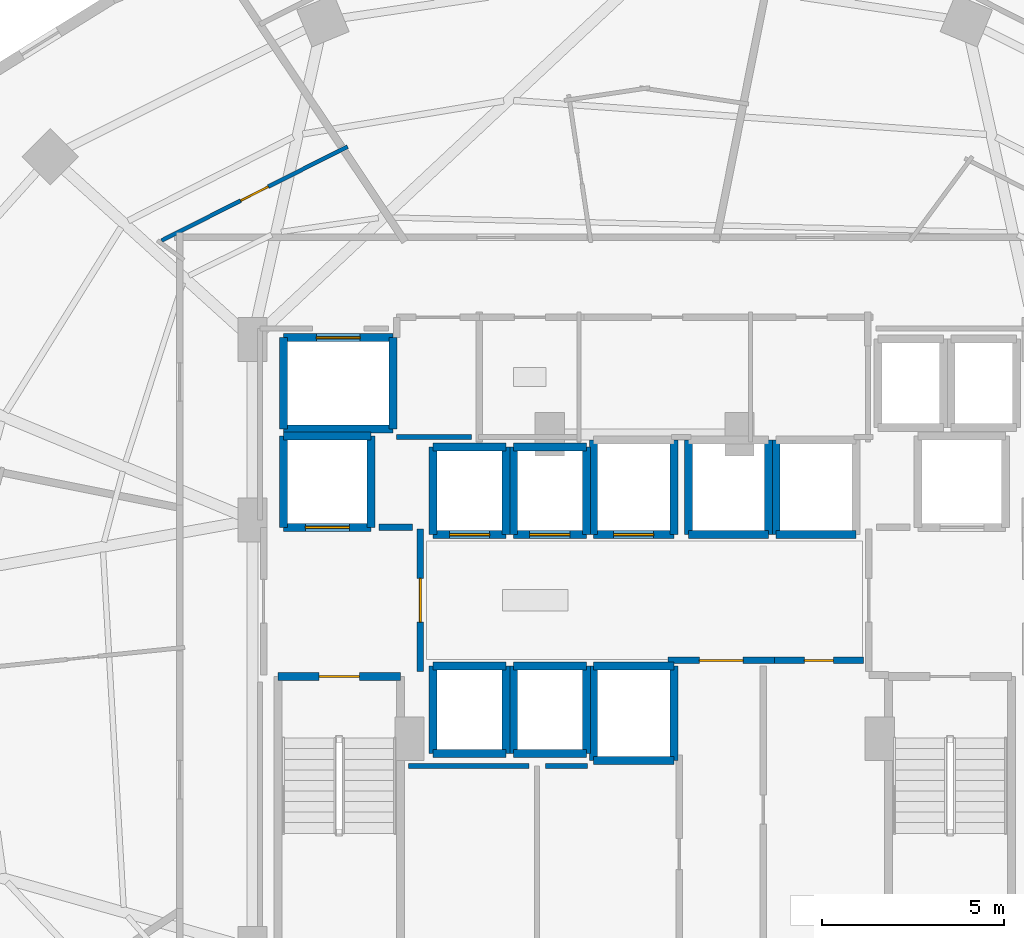
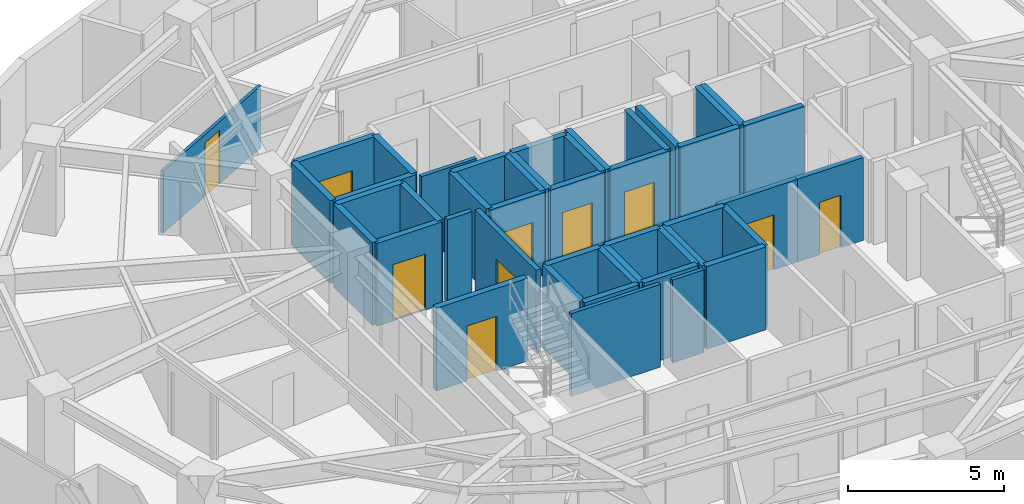
# One storey, part 23 of 29: 45 walls, 10 doors, 10 openings.
"""IFC4 building model written with IfcOpenShell, lengths in metres."""

from ifc_helpers import new_model, si_unit, direction, frame, frame_2d, origin, place, context, subcontext, project, spatial, rectangle, extrude, material, layer, layer_set, type_object, element, fill, save


model = new_model("IFC4")

# Units and contexts
model_context = context("Model", 3, precision=1e-05, world=origin(), true_north=direction((0.0, 1.0)))
body_context = subcontext(model_context, "Body", "Model", "MODEL_VIEW")
ifc_project = project(units=[si_unit("LENGTHUNIT", "METRE"), si_unit("AREAUNIT", "SQUARE_METRE"), si_unit("VOLUMEUNIT", "CUBIC_METRE"), si_unit("PLANEANGLEUNIT", "RADIAN"), si_unit("MASSUNIT", "GRAM", prefix="KILO")], contexts=[model_context])

# Site, building, storey
site_placement = place(None, origin())
site = spatial("IfcSite", under=ifc_project, at=site_placement, CompositionType="ELEMENT")
building_placement = place(site_placement, origin())
building = spatial("IfcBuilding", under=site, at=building_placement, Name="Vorneva Point Tower", CompositionType="ELEMENT")
storey_placement = place(building_placement, frame((0.0, 0.0, 85.800048828125)))
storey = spatial("IfcBuildingStorey", under=building, at=storey_placement, Name="L22", CompositionType="ELEMENT", Elevation=85.800048828125)

# Wall, opening, door
ifc_material_1 = material(Name="Concrete B60 (C50/60)", Category="concrete")
ifc_layer_1 = layer(ifc_material_1, 0.5)
ifc_layer_set_1 = layer_set([ifc_layer_1], Name="Concrete B60 (C50/60)")
wall_type_1 = type_object("IfcWallType", Name="WL-CORE-500", PredefinedType="SHEAR", material=ifc_layer_set_1)
wall_1_placement = place(storey_placement, frame((28.10009765625, 28.0, 0.0), z_axis=(0.0, 0.0, 1.0), x_axis=(1.0, 0.0, 0.0)))
wall_1 = element("IfcWall", 1, at=wall_1_placement, inside=storey, type_object=wall_type_1, Name="L22 Lift FFL1 Shaft Wall -Y", PredefinedType="SHEAR", context=body_context, shape_type="SweptSolid", body=[
    extrude(rectangle(XDim=2.39990234375, YDim=0.219970703125, at=frame_2d((1.199951171875, 0.0))), origin(), (0.0, 0.0, 1.0), 3.239990234375),
])
opening_1_placement = place(wall_1_placement, frame((0.60009765625, 0.0, 0.0)))
opening_1 = element("IfcOpeningElement", 2, at=opening_1_placement, cuts=wall_1, Name="Opening LD-02", PredefinedType="OPENING", context=body_context, shape_type="SweptSolid", body=[
    extrude(rectangle(XDim=1.199951171875, YDim=2.199951171875, at=frame_2d((0.60009765625, 1.10009765625))), frame((0.0, 0.125, 0.0), z_axis=(0.0, -1.0, 0.0), x_axis=(1.0, 0.0, 0.0)), (0.0, 0.0, 1.0), 0.249755859375),
])
ifc_material_2 = material(Name="Brushed stainless steel S304", Category="steel")
door_type_1 = type_object("IfcDoorType", Name="LD-FIRE-1200", OperationType="SLIDING_TO_LEFT", PredefinedType="DOOR", material=ifc_material_2)
door_1_placement = place(opening_1_placement, origin())
door_1 = element("IfcDoor", 3, at=door_1_placement, inside=storey, type_object=door_type_1, Name="L22 Lift FFL1 Sliding Landing Door", OperationType="SLIDING_TO_LEFT", OverallHeight=2.199951171875, OverallWidth=1.199951171875, PredefinedType="DOOR", context=body_context, shape_type="SweptSolid", body=[
    extrude(rectangle(XDim=1.199951171875, YDim=2.199951171875, at=frame_2d((0.60009765625, 1.10009765625))), frame((0.0, 0.02490234375, 0.0), z_axis=(0.0, -1.0, 0.0), x_axis=(1.0, 0.0, 0.0)), (0.0, 0.0, 1.0), 0.050048828125),
])
fill(opening_1, door_1)

# Walls
wall_2_placement = place(storey_placement, frame((30.5, 28.0, 0.0), z_axis=(0.0, 0.0, 1.0), x_axis=(0.0, 1.0, 0.0)))
element("IfcWall", 4, at=wall_2_placement, inside=storey, type_object=wall_type_1, Name="L22 Lift FFL1 Shaft Wall +X", PredefinedType="SHEAR", context=body_context, shape_type="SweptSolid", body=[
    extrude(rectangle(XDim=2.5, YDim=0.219970703125, at=frame_2d((1.25, 0.0))), origin(), (0.0, 0.0, 1.0), 3.239990234375),
])
wall_3_placement = place(storey_placement, frame((30.5, 30.5, 0.0), z_axis=(0.0, 0.0, 1.0), x_axis=(-1.0, 0.0, 0.0)))
element("IfcWall", 5, at=wall_3_placement, inside=storey, type_object=wall_type_1, Name="L22 Lift FFL1 Shaft Wall +Y", PredefinedType="SHEAR", context=body_context, shape_type="SweptSolid", body=[
    extrude(rectangle(XDim=2.39990234375, YDim=0.219970703125, at=frame_2d((1.199951171875, 0.0))), origin(), (0.0, 0.0, 1.0), 3.239990234375),
])
wall_4_placement = place(storey_placement, frame((28.10009765625, 30.5, 0.0), z_axis=(0.0, 0.0, 1.0), x_axis=(0.0, -1.0, 0.0)))
element("IfcWall", 6, at=wall_4_placement, inside=storey, type_object=wall_type_1, Name="L22 Lift FFL1 Shaft Wall -X", PredefinedType="SHEAR", context=body_context, shape_type="SweptSolid", body=[
    extrude(rectangle(XDim=2.5, YDim=0.219970703125, at=frame_2d((1.25, 0.0))), origin(), (0.0, 0.0, 1.0), 3.239990234375),
])

# Wall, opening, door
ifc_material_3 = material(Name="Fire-rated acoustic gypsum stud partition", Category="gypsum")
ifc_layer_2 = layer(ifc_material_3, 0.110107421875)
ifc_layer_set_2 = layer_set([ifc_layer_2], Name="Fire-rated acoustic gypsum stud partition")
wall_type_2 = type_object("IfcWallType", Name="WL-PART-110", PredefinedType="PARTITIONING", material=ifc_layer_set_2)
wall_5_placement = place(storey_placement, frame((24.7509765625, 35.86181640625, 0.0), z_axis=(0.0, 0.0, 1.0), x_axis=(0.892506436774, 0.451034655339, 0.0)))
wall_5 = element("IfcWall", 7, at=wall_5_placement, inside=storey, type_object=wall_type_2, Name="L22 Interior Partition 067", PredefinedType="PARTITIONING", context=body_context, shape_type="SweptSolid", body=[
    extrude(rectangle(XDim=5.71875, YDim=0.110107421875, at=frame_2d((2.859375, 0.0))), origin(), (0.0, 0.0, 1.0), 2.431884765625),
])
opening_2_placement = place(wall_5_placement, frame((2.434326171875, 0.0, 0.0)))
opening_2 = element("IfcOpeningElement", 8, at=opening_2_placement, cuts=wall_5, Name="Opening ID-02", PredefinedType="OPENING", context=body_context, shape_type="SweptSolid", body=[
    extrude(rectangle(XDim=0.85009765625, YDim=2.10009765625, at=frame_2d((0.425048828125, 1.050048828125))), frame((0.0, 0.06982421875, 0.0), z_axis=(0.0, -1.0, 0.0), x_axis=(1.0, 0.0, 0.0)), (0.0, 0.0, 1.0), 0.139892578125),
])
ifc_material_4 = material(Name="Engineered oak fire-rated door leaf", Category="wood")
door_type_2 = type_object("IfcDoorType", Name="DR-BATH-850", OperationType="NOTDEFINED", PredefinedType="DOOR", material=ifc_material_4)
door_2_placement = place(opening_2_placement, origin())
door_2 = element("IfcDoor", 9, at=door_2_placement, inside=storey, type_object=door_type_2, Name="L22 Door Executive Suite L22-03 / En-Suite Bathroom L22-03", OperationType="SINGLE_SWING_LEFT", OverallHeight=2.10009765625, OverallWidth=0.85009765625, PredefinedType="DOOR", context=body_context, shape_type="SweptSolid", body=[
    extrude(rectangle(XDim=0.85009765625, YDim=2.10009765625, at=frame_2d((0.425048828125, 1.050048828125))), frame((0.0, 0.02490234375, 0.0), z_axis=(0.0, -1.0, 0.0), x_axis=(1.0, 0.0, 0.0)), (0.0, 0.0, 1.0), 0.050048828125),
])
fill(opening_2, door_2)

# Walls
ifc_layer_3 = layer(ifc_material_3, 0.139892578125)
ifc_layer_set_3 = layer_set([ifc_layer_3], Name="Fire-rated acoustic gypsum stud partition")
wall_type_3 = type_object("IfcWallType", Name="WL-PART-140", PredefinedType="PARTITIONING", material=ifc_layer_set_3)
wall_6_placement = place(storey_placement, frame((31.199951171875, 30.47998046875, 0.0), z_axis=(0.0, 0.0, 1.0), x_axis=(1.0, 0.0, 0.0)))
element("IfcWall", 10, at=wall_6_placement, inside=storey, type_object=wall_type_3, Name="L22 Interior Closure Partition 094", PredefinedType="PARTITIONING", context=body_context, shape_type="SweptSolid", body=[
    extrude(rectangle(XDim=2.050048828125, YDim=0.139892578125, at=frame_2d((1.02490234375, 0.0))), origin(), (0.0, 0.0, 1.0), 3.239990234375),
])
wall_7_placement = place(storey_placement, frame((34.830078125, 21.449951171875, 0.0), z_axis=(0.0, 0.0, 1.0), x_axis=(-1.0, 0.0, 0.0)))
element("IfcWall", 11, at=wall_7_placement, inside=storey, type_object=wall_type_3, Name="L22 Interior Closure Partition 099", PredefinedType="PARTITIONING", context=body_context, shape_type="SweptSolid", body=[
    extrude(rectangle(XDim=3.300048828125, YDim=0.139892578125, at=frame_2d((1.64990234375, 0.0))), origin(), (0.0, 0.0, 1.0), 3.239990234375),
])
wall_8_placement = place(storey_placement, frame((36.43896484375, 21.449951171875, 0.0), z_axis=(0.0, 0.0, 1.0), x_axis=(-1.0, 0.0, 0.0)))
element("IfcWall", 12, at=wall_8_placement, inside=storey, type_object=wall_type_3, Name="L22 Interior Closure Partition 100", PredefinedType="PARTITIONING", context=body_context, shape_type="SweptSolid", body=[
    extrude(rectangle(XDim=1.158935546875, YDim=0.139892578125, at=frame_2d((0.57958984375, 0.0))), origin(), (0.0, 0.0, 1.0), 3.239990234375),
])

# Wall, opening, door
ifc_material_5 = material(Name="Autoclaved aerated concrete blockwork", Category="masonry")
ifc_layer_4 = layer(ifc_material_5, 0.179931640625)
ifc_layer_set_4 = layer_set([ifc_layer_4], Name="Autoclaved aerated concrete blockwork")
wall_type_4 = type_object("IfcWallType", Name="WL-PART-180", PredefinedType="PARTITIONING", material=ifc_layer_set_4)
wall_9_placement = place(storey_placement, frame((31.85009765625, 24.044921875, 0.0), z_axis=(0.0, 0.0, 1.0), x_axis=(0.0, 1.0, 0.0)))
wall_9 = element("IfcWall", 13, at=wall_9_placement, inside=storey, type_object=wall_type_4, Name="L22 Interior Partition 001", PredefinedType="PARTITIONING", context=body_context, shape_type="SweptSolid", body=[
    extrude(rectangle(XDim=3.91015625, YDim=0.179931640625, at=frame_2d((1.955078125, 0.0))), origin(), (0.0, 0.0, 1.0), 3.239990234375),
])
opening_3_placement = place(wall_9_placement, frame((1.35498046875, 0.0, 0.0)))
opening_3 = element("IfcOpeningElement", 14, at=opening_3_placement, cuts=wall_9, Name="Opening FD-02", PredefinedType="OPENING", context=body_context, shape_type="SweptSolid", body=[
    extrude(rectangle(XDim=1.199951171875, YDim=2.14990234375, at=frame_2d((0.60009765625, 1.074951171875))), frame((0.0, 0.10498046875, 0.0), z_axis=(0.0, -1.0, 0.0), x_axis=(1.0, 0.0, 0.0)), (0.0, 0.0, 1.0), 0.209716796875),
])
ifc_material_6 = material(Name="Fire-rated powder-coated steel", Category="steel")
door_type_3 = type_object("IfcDoorType", Name="DR-FFL-1200", OperationType="NOTDEFINED", PredefinedType="DOOR", material=ifc_material_6)
door_3_placement = place(opening_3_placement, origin())
door_3 = element("IfcDoor", 15, at=door_3_placement, inside=storey, type_object=door_type_3, Name="L22 Door West Firefighting Lobby / Central Lift Lobby", OperationType="SINGLE_SWING_LEFT", OverallHeight=2.14990234375, OverallWidth=1.199951171875, PredefinedType="DOOR", context=body_context, shape_type="SweptSolid", body=[
    extrude(rectangle(XDim=1.199951171875, YDim=2.14990234375, at=frame_2d((0.60009765625, 1.074951171875))), frame((0.0, 0.02490234375, 0.0), z_axis=(0.0, -1.0, 0.0), x_axis=(1.0, 0.0, 0.0)), (0.0, 0.0, 1.0), 0.050048828125),
])
fill(opening_3, door_3)

wall_10_placement = place(storey_placement, frame((38.64501953125, 24.35009765625, 0.0), z_axis=(0.0, 0.0, 1.0), x_axis=(1.0, 0.0, 0.0)))
wall_10 = element("IfcWall", 16, at=wall_10_placement, inside=storey, type_object=wall_type_4, Name="L22 Interior Partition 009", PredefinedType="PARTITIONING", context=body_context, shape_type="SweptSolid", body=[
    extrude(rectangle(XDim=2.909912109375, YDim=0.179931640625, at=frame_2d((1.455078125, 0.0))), origin(), (0.0, 0.0, 1.0), 3.239990234375),
])
opening_4_placement = place(wall_10_placement, frame((0.85498046875, 0.0, 0.0)))
opening_4 = element("IfcOpeningElement", 17, at=opening_4_placement, cuts=wall_10, Name="Opening FD-02", PredefinedType="OPENING", context=body_context, shape_type="SweptSolid", body=[
    extrude(rectangle(XDim=1.199951171875, YDim=2.14990234375, at=frame_2d((0.60009765625, 1.074951171875))), frame((0.0, 0.10498046875, 0.0), z_axis=(0.0, -1.0, 0.0), x_axis=(1.0, 0.0, 0.0)), (0.0, 0.0, 1.0), 0.209716796875),
])
door_4_placement = place(opening_4_placement, origin())
door_4 = element("IfcDoor", 18, at=door_4_placement, inside=storey, type_object=door_type_3, Name="L22 Door Central Lift Lobby / Core Service Lobby", OperationType="SINGLE_SWING_RIGHT", OverallHeight=2.14990234375, OverallWidth=1.199951171875, PredefinedType="DOOR", context=body_context, shape_type="SweptSolid", body=[
    extrude(rectangle(XDim=1.199951171875, YDim=2.14990234375, at=frame_2d((0.60009765625, 1.074951171875))), frame((0.0, 0.02490234375, 0.0), z_axis=(0.0, -1.0, 0.0), x_axis=(1.0, 0.0, 0.0)), (0.0, 0.0, 1.0), 0.050048828125),
])
fill(opening_4, door_4)

wall_11_placement = place(storey_placement, frame((41.554931640625, 24.35009765625, 0.0), z_axis=(0.0, 0.0, 1.0), x_axis=(1.0, 0.0, 0.0)))
wall_11 = element("IfcWall", 19, at=wall_11_placement, inside=storey, type_object=wall_type_4, Name="L22 Interior Partition 010", PredefinedType="PARTITIONING", context=body_context, shape_type="SweptSolid", body=[
    extrude(rectangle(XDim=2.445068359375, YDim=0.179931640625, at=frame_2d((1.22265625, 0.0))), origin(), (0.0, 0.0, 1.0), 3.239990234375),
])
opening_5_placement = place(wall_11_placement, frame((0.822509765625, 0.0, 0.0)))
opening_5 = element("IfcOpeningElement", 20, at=opening_5_placement, cuts=wall_11, Name="Opening RD-01", PredefinedType="OPENING", context=body_context, shape_type="SweptSolid", body=[
    extrude(rectangle(XDim=0.800048828125, YDim=2.050048828125, at=frame_2d((0.39990234375, 1.02490234375))), frame((0.0, 0.10498046875, 0.0), z_axis=(0.0, -1.0, 0.0), x_axis=(1.0, 0.0, 0.0)), (0.0, 0.0, 1.0), 0.209716796875),
])
door_type_4 = type_object("IfcDoorType", Name="DR-RSR-800", OperationType="SINGLE_SWING_LEFT", PredefinedType="DOOR", material=ifc_material_6)
door_5_placement = place(opening_5_placement, origin())
door_5 = element("IfcDoor", 21, at=door_5_placement, inside=storey, type_object=door_type_4, Name="L22 Door Central Lift Lobby / Electrical Riser", OperationType="SINGLE_SWING_LEFT", OverallHeight=2.050048828125, OverallWidth=0.800048828125, PredefinedType="DOOR", context=body_context, shape_type="SweptSolid", body=[
    extrude(rectangle(XDim=0.800048828125, YDim=2.050048828125, at=frame_2d((0.39990234375, 1.02490234375))), frame((0.0, 0.02490234375, 0.0), z_axis=(0.0, -1.0, 0.0), x_axis=(1.0, 0.0, 0.0)), (0.0, 0.0, 1.0), 0.050048828125),
])
fill(opening_5, door_5)

# Wall
wall_12_placement = place(storey_placement, frame((31.635009765625, 28.0, 0.0), z_axis=(0.0, 0.0, 1.0), x_axis=(-1.0, 0.0, 0.0)))
element("IfcWall", 22, at=wall_12_placement, inside=storey, type_object=wall_type_4, Name="L22 Interior Closure Partition 092", PredefinedType="PARTITIONING", context=body_context, shape_type="SweptSolid", body=[
    extrude(rectangle(XDim=0.9150390625, YDim=0.179931640625, at=frame_2d((0.45751953125, 0.0))), origin(), (0.0, 0.0, 1.0), 3.239990234375),
])

# Wall, opening, door
ifc_material_7 = material(Name="Concrete B50 (C40/50)", Category="concrete")
ifc_layer_5 = layer(ifc_material_7, 0.219970703125)
ifc_layer_set_5 = layer_set([ifc_layer_5], Name="Concrete B50 (C40/50)")
wall_type_5 = type_object("IfcWallType", Name="WL-SHFT-220", PredefinedType="SOLIDWALL", material=ifc_layer_set_5)
wall_13_placement = place(storey_placement, frame((27.93994140625, 23.909912109375, 0.0), z_axis=(0.0, 0.0, 1.0), x_axis=(1.0, 0.0, 0.0)))
wall_13 = element("IfcWall", 23, at=wall_13_placement, inside=storey, type_object=wall_type_5, Name="L22 Exit Stair ST1 Shaft Wall near", PredefinedType="SOLIDWALL", context=body_context, shape_type="SweptSolid", body=[
    extrude(rectangle(XDim=3.3701171875, YDim=0.219970703125, at=frame_2d((1.68505859375, 0.0))), origin(), (0.0, 0.0, 1.0), 3.239990234375),
])
opening_6_placement = place(wall_13_placement, frame((1.135009765625, 0.0, 0.0)))
opening_6 = element("IfcOpeningElement", 24, at=opening_6_placement, cuts=wall_13, Name="Opening FD-01", PredefinedType="OPENING", context=body_context, shape_type="SweptSolid", body=[
    extrude(rectangle(XDim=1.10009765625, YDim=2.14990234375, at=frame_2d((0.550048828125, 1.074951171875))), frame((0.0, 0.125, 0.0), z_axis=(0.0, -1.0, 0.0), x_axis=(1.0, 0.0, 0.0)), (0.0, 0.0, 1.0), 0.249755859375),
])
door_type_5 = type_object("IfcDoorType", Name="DR-STAIR-1100", OperationType="NOTDEFINED", PredefinedType="DOOR", material=ifc_material_6)
door_6_placement = place(opening_6_placement, origin())
door_6 = element("IfcDoor", 25, at=door_6_placement, inside=storey, type_object=door_type_5, Name="L22 Exit Stair ST1 Fire Door", OperationType="SINGLE_SWING_RIGHT", OverallHeight=2.14990234375, OverallWidth=1.10009765625, PredefinedType="DOOR", context=body_context, shape_type="SweptSolid", body=[
    extrude(rectangle(XDim=1.10009765625, YDim=2.14990234375, at=frame_2d((0.550048828125, 1.074951171875))), frame((0.0, 0.02490234375, 0.0), z_axis=(0.0, -1.0, 0.0), x_axis=(1.0, 0.0, 0.0)), (0.0, 0.0, 1.0), 0.050048828125),
])
fill(opening_6, door_6)

wall_14_placement = place(storey_placement, frame((32.199951171875, 27.800048828125, 0.0), z_axis=(0.0, 0.0, 1.0), x_axis=(1.0, 0.0, 0.0)))
wall_14 = element("IfcWall", 26, at=wall_14_placement, inside=storey, type_object=wall_type_5, Name="L22 Lift PL1 Shaft Wall -Y", PredefinedType="SOLIDWALL", context=body_context, shape_type="SweptSolid", body=[
    extrude(rectangle(XDim=2.0, YDim=0.219970703125, at=frame_2d((1.0, 0.0))), origin(), (0.0, 0.0, 1.0), 3.239990234375),
])
opening_7_placement = place(wall_14_placement, frame((0.449951171875, 0.0, 0.0)))
opening_7 = element("IfcOpeningElement", 27, at=opening_7_placement, cuts=wall_14, Name="Opening LD-01", PredefinedType="OPENING", context=body_context, shape_type="SweptSolid", body=[
    extrude(rectangle(XDim=1.10009765625, YDim=2.199951171875, at=frame_2d((0.550048828125, 1.10009765625))), frame((0.0, 0.125, 0.0), z_axis=(0.0, -1.0, 0.0), x_axis=(1.0, 0.0, 0.0)), (0.0, 0.0, 1.0), 0.249755859375),
])
door_type_6 = type_object("IfcDoorType", Name="LD-PASS-1100", OperationType="SLIDING_TO_LEFT", PredefinedType="DOOR", material=ifc_material_2)
door_7_placement = place(opening_7_placement, origin())
door_7 = element("IfcDoor", 28, at=door_7_placement, inside=storey, type_object=door_type_6, Name="L22 Lift PL1 Sliding Landing Door", OperationType="SLIDING_TO_LEFT", OverallHeight=2.199951171875, OverallWidth=1.10009765625, PredefinedType="DOOR", context=body_context, shape_type="SweptSolid", body=[
    extrude(rectangle(XDim=1.10009765625, YDim=2.199951171875, at=frame_2d((0.550048828125, 1.10009765625))), frame((0.0, 0.02490234375, 0.0), z_axis=(0.0, -1.0, 0.0), x_axis=(1.0, 0.0, 0.0)), (0.0, 0.0, 1.0), 0.050048828125),
])
fill(opening_7, door_7)

# Walls
wall_15_placement = place(storey_placement, frame((34.199951171875, 27.800048828125, 0.0), z_axis=(0.0, 0.0, 1.0), x_axis=(0.0, 1.0, 0.0)))
element("IfcWall", 29, at=wall_15_placement, inside=storey, type_object=wall_type_5, Name="L22 Lift PL1 Shaft Wall +X", PredefinedType="SOLIDWALL", context=body_context, shape_type="SweptSolid", body=[
    extrude(rectangle(XDim=2.39990234375, YDim=0.219970703125, at=frame_2d((1.199951171875, 0.0))), origin(), (0.0, 0.0, 1.0), 3.239990234375),
])
wall_16_placement = place(storey_placement, frame((34.199951171875, 30.199951171875, 0.0), z_axis=(0.0, 0.0, 1.0), x_axis=(-1.0, 0.0, 0.0)))
element("IfcWall", 30, at=wall_16_placement, inside=storey, type_object=wall_type_5, Name="L22 Lift PL1 Shaft Wall +Y", PredefinedType="SOLIDWALL", context=body_context, shape_type="SweptSolid", body=[
    extrude(rectangle(XDim=2.0, YDim=0.219970703125, at=frame_2d((1.0, 0.0))), origin(), (0.0, 0.0, 1.0), 3.239990234375),
])
wall_17_placement = place(storey_placement, frame((32.199951171875, 30.199951171875, 0.0), z_axis=(0.0, 0.0, 1.0), x_axis=(0.0, -1.0, 0.0)))
element("IfcWall", 31, at=wall_17_placement, inside=storey, type_object=wall_type_5, Name="L22 Lift PL1 Shaft Wall -X", PredefinedType="SOLIDWALL", context=body_context, shape_type="SweptSolid", body=[
    extrude(rectangle(XDim=2.39990234375, YDim=0.219970703125, at=frame_2d((1.199951171875, 0.0))), origin(), (0.0, 0.0, 1.0), 3.239990234375),
])

# Wall, opening, door
wall_18_placement = place(storey_placement, frame((34.39990234375, 27.800048828125, 0.0), z_axis=(0.0, 0.0, 1.0), x_axis=(1.0, 0.0, 0.0)))
wall_18 = element("IfcWall", 32, at=wall_18_placement, inside=storey, type_object=wall_type_5, Name="L22 Lift PL2 Shaft Wall -Y", PredefinedType="SOLIDWALL", context=body_context, shape_type="SweptSolid", body=[
    extrude(rectangle(XDim=2.0, YDim=0.219970703125, at=frame_2d((1.0, 0.0))), origin(), (0.0, 0.0, 1.0), 3.239990234375),
])
opening_8_placement = place(wall_18_placement, frame((0.449951171875, 0.0, 0.0)))
opening_8 = element("IfcOpeningElement", 33, at=opening_8_placement, cuts=wall_18, Name="Opening LD-01", PredefinedType="OPENING", context=body_context, shape_type="SweptSolid", body=[
    extrude(rectangle(XDim=1.10009765625, YDim=2.199951171875, at=frame_2d((0.550048828125, 1.10009765625))), frame((0.0, 0.125, 0.0), z_axis=(0.0, -1.0, 0.0), x_axis=(1.0, 0.0, 0.0)), (0.0, 0.0, 1.0), 0.249755859375),
])
door_8_placement = place(opening_8_placement, origin())
door_8 = element("IfcDoor", 34, at=door_8_placement, inside=storey, type_object=door_type_6, Name="L22 Lift PL2 Sliding Landing Door", OperationType="SLIDING_TO_LEFT", OverallHeight=2.199951171875, OverallWidth=1.10009765625, PredefinedType="DOOR", context=body_context, shape_type="SweptSolid", body=[
    extrude(rectangle(XDim=1.10009765625, YDim=2.199951171875, at=frame_2d((0.550048828125, 1.10009765625))), frame((0.0, 0.02490234375, 0.0), z_axis=(0.0, -1.0, 0.0), x_axis=(1.0, 0.0, 0.0)), (0.0, 0.0, 1.0), 0.050048828125),
])
fill(opening_8, door_8)

# Walls
wall_19_placement = place(storey_placement, frame((36.39990234375, 27.800048828125, 0.0), z_axis=(0.0, 0.0, 1.0), x_axis=(0.0, 1.0, 0.0)))
element("IfcWall", 35, at=wall_19_placement, inside=storey, type_object=wall_type_5, Name="L22 Lift PL2 Shaft Wall +X", PredefinedType="SOLIDWALL", context=body_context, shape_type="SweptSolid", body=[
    extrude(rectangle(XDim=2.39990234375, YDim=0.219970703125, at=frame_2d((1.199951171875, 0.0))), origin(), (0.0, 0.0, 1.0), 3.239990234375),
])
wall_20_placement = place(storey_placement, frame((36.39990234375, 30.199951171875, 0.0), z_axis=(0.0, 0.0, 1.0), x_axis=(-1.0, 0.0, 0.0)))
element("IfcWall", 36, at=wall_20_placement, inside=storey, type_object=wall_type_5, Name="L22 Lift PL2 Shaft Wall +Y", PredefinedType="SOLIDWALL", context=body_context, shape_type="SweptSolid", body=[
    extrude(rectangle(XDim=2.0, YDim=0.219970703125, at=frame_2d((1.0, 0.0))), origin(), (0.0, 0.0, 1.0), 3.239990234375),
])
wall_21_placement = place(storey_placement, frame((34.39990234375, 30.199951171875, 0.0), z_axis=(0.0, 0.0, 1.0), x_axis=(0.0, -1.0, 0.0)))
element("IfcWall", 37, at=wall_21_placement, inside=storey, type_object=wall_type_5, Name="L22 Lift PL2 Shaft Wall -X", PredefinedType="SOLIDWALL", context=body_context, shape_type="SweptSolid", body=[
    extrude(rectangle(XDim=2.39990234375, YDim=0.219970703125, at=frame_2d((1.199951171875, 0.0))), origin(), (0.0, 0.0, 1.0), 3.239990234375),
])

# Wall, opening, door
wall_22_placement = place(storey_placement, frame((36.60009765625, 27.800048828125, 0.0), z_axis=(0.0, 0.0, 1.0), x_axis=(1.0, 0.0, 0.0)))
wall_22 = element("IfcWall", 38, at=wall_22_placement, inside=storey, type_object=wall_type_5, Name="L22 Lift PL3 Shaft Wall -Y", PredefinedType="SOLIDWALL", context=body_context, shape_type="SweptSolid", body=[
    extrude(rectangle(XDim=2.199951171875, YDim=0.219970703125, at=frame_2d((1.10009765625, 0.0))), origin(), (0.0, 0.0, 1.0), 3.239990234375),
])
opening_9_placement = place(wall_22_placement, frame((0.550048828125, 0.0, 0.0)))
opening_9 = element("IfcOpeningElement", 39, at=opening_9_placement, cuts=wall_22, Name="Opening LD-01", PredefinedType="OPENING", context=body_context, shape_type="SweptSolid", body=[
    extrude(rectangle(XDim=1.10009765625, YDim=2.199951171875, at=frame_2d((0.550048828125, 1.10009765625))), frame((0.0, 0.125, 0.0), z_axis=(0.0, -1.0, 0.0), x_axis=(1.0, 0.0, 0.0)), (0.0, 0.0, 1.0), 0.249755859375),
])
door_9_placement = place(opening_9_placement, origin())
door_9 = element("IfcDoor", 40, at=door_9_placement, inside=storey, type_object=door_type_6, Name="L22 Lift PL3 Sliding Landing Door", OperationType="SLIDING_TO_LEFT", OverallHeight=2.199951171875, OverallWidth=1.10009765625, PredefinedType="DOOR", context=body_context, shape_type="SweptSolid", body=[
    extrude(rectangle(XDim=1.10009765625, YDim=2.199951171875, at=frame_2d((0.550048828125, 1.10009765625))), frame((0.0, 0.02490234375, 0.0), z_axis=(0.0, -1.0, 0.0), x_axis=(1.0, 0.0, 0.0)), (0.0, 0.0, 1.0), 0.050048828125),
])
fill(opening_9, door_9)

# Walls
for number, where, z_axis, x_axis, name in (
    (41, (38.800048828125, 27.800048828125, 0.0), (0.0, 0.0, 1.0), (0.0, 1.0, 0.0), "L22 Lift PL3 Shaft Wall +X"),
    (42, (36.60009765625, 30.39990234375, 0.0), (0.0, 0.0, 1.0), (0.0, -1.0, 0.0), "L22 Lift PL3 Shaft Wall -X"),
):
    element("IfcWall", number, at=place(storey_placement, frame(where, z_axis=z_axis, x_axis=x_axis)), inside=storey, type_object=wall_type_5, Name=name, PredefinedType="SOLIDWALL", context=body_context, shape_type="SweptSolid", body=[
        extrude(rectangle(XDim=2.599853515625, YDim=0.219970703125, at=frame_2d((1.2998046875, 0.0))), origin(), (0.0, 0.0, 1.0), 3.239990234375),
    ])
wall_23_placement = place(storey_placement, frame((32.199951171875, 21.800048828125, 0.0), z_axis=(0.0, 0.0, 1.0), x_axis=(1.0, 0.0, 0.0)))
element("IfcWall", 43, at=wall_23_placement, inside=storey, type_object=wall_type_5, Name="L22 Lift PL4 Shaft Wall -Y", PredefinedType="SOLIDWALL", context=body_context, shape_type="SweptSolid", body=[
    extrude(rectangle(XDim=2.0, YDim=0.219970703125, at=frame_2d((1.0, 0.0))), origin(), (0.0, 0.0, 1.0), 3.239990234375),
])
wall_24_placement = place(storey_placement, frame((34.199951171875, 21.800048828125, 0.0), z_axis=(0.0, 0.0, 1.0), x_axis=(0.0, 1.0, 0.0)))
element("IfcWall", 44, at=wall_24_placement, inside=storey, type_object=wall_type_5, Name="L22 Lift PL4 Shaft Wall +X", PredefinedType="SOLIDWALL", context=body_context, shape_type="SweptSolid", body=[
    extrude(rectangle(XDim=2.39990234375, YDim=0.219970703125, at=frame_2d((1.199951171875, 0.0))), origin(), (0.0, 0.0, 1.0), 3.239990234375),
])
wall_25_placement = place(storey_placement, frame((34.199951171875, 24.199951171875, 0.0), z_axis=(0.0, 0.0, 1.0), x_axis=(-1.0, 0.0, 0.0)))
element("IfcWall", 45, at=wall_25_placement, inside=storey, type_object=wall_type_5, Name="L22 Lift PL4 Shaft Wall +Y", PredefinedType="SOLIDWALL", context=body_context, shape_type="SweptSolid", body=[
    extrude(rectangle(XDim=2.0, YDim=0.219970703125, at=frame_2d((1.0, 0.0))), origin(), (0.0, 0.0, 1.0), 3.239990234375),
])
wall_26_placement = place(storey_placement, frame((32.199951171875, 24.199951171875, 0.0), z_axis=(0.0, 0.0, 1.0), x_axis=(0.0, -1.0, 0.0)))
element("IfcWall", 46, at=wall_26_placement, inside=storey, type_object=wall_type_5, Name="L22 Lift PL4 Shaft Wall -X", PredefinedType="SOLIDWALL", context=body_context, shape_type="SweptSolid", body=[
    extrude(rectangle(XDim=2.39990234375, YDim=0.219970703125, at=frame_2d((1.199951171875, 0.0))), origin(), (0.0, 0.0, 1.0), 3.239990234375),
])
wall_27_placement = place(storey_placement, frame((34.39990234375, 21.800048828125, 0.0), z_axis=(0.0, 0.0, 1.0), x_axis=(1.0, 0.0, 0.0)))
element("IfcWall", 47, at=wall_27_placement, inside=storey, type_object=wall_type_5, Name="L22 Lift PL5 Shaft Wall -Y", PredefinedType="SOLIDWALL", context=body_context, shape_type="SweptSolid", body=[
    extrude(rectangle(XDim=2.0, YDim=0.219970703125, at=frame_2d((1.0, 0.0))), origin(), (0.0, 0.0, 1.0), 3.239990234375),
])
wall_28_placement = place(storey_placement, frame((36.39990234375, 21.800048828125, 0.0), z_axis=(0.0, 0.0, 1.0), x_axis=(0.0, 1.0, 0.0)))
element("IfcWall", 48, at=wall_28_placement, inside=storey, type_object=wall_type_5, Name="L22 Lift PL5 Shaft Wall +X", PredefinedType="SOLIDWALL", context=body_context, shape_type="SweptSolid", body=[
    extrude(rectangle(XDim=2.39990234375, YDim=0.219970703125, at=frame_2d((1.199951171875, 0.0))), origin(), (0.0, 0.0, 1.0), 3.239990234375),
])
wall_29_placement = place(storey_placement, frame((36.39990234375, 24.199951171875, 0.0), z_axis=(0.0, 0.0, 1.0), x_axis=(-1.0, 0.0, 0.0)))
element("IfcWall", 49, at=wall_29_placement, inside=storey, type_object=wall_type_5, Name="L22 Lift PL5 Shaft Wall +Y", PredefinedType="SOLIDWALL", context=body_context, shape_type="SweptSolid", body=[
    extrude(rectangle(XDim=2.0, YDim=0.219970703125, at=frame_2d((1.0, 0.0))), origin(), (0.0, 0.0, 1.0), 3.239990234375),
])
wall_30_placement = place(storey_placement, frame((34.39990234375, 24.199951171875, 0.0), z_axis=(0.0, 0.0, 1.0), x_axis=(0.0, -1.0, 0.0)))
element("IfcWall", 50, at=wall_30_placement, inside=storey, type_object=wall_type_5, Name="L22 Lift PL5 Shaft Wall -X", PredefinedType="SOLIDWALL", context=body_context, shape_type="SweptSolid", body=[
    extrude(rectangle(XDim=2.39990234375, YDim=0.219970703125, at=frame_2d((1.199951171875, 0.0))), origin(), (0.0, 0.0, 1.0), 3.239990234375),
])
wall_31_placement = place(storey_placement, frame((36.60009765625, 21.60009765625, 0.0), z_axis=(0.0, 0.0, 1.0), x_axis=(1.0, 0.0, 0.0)))
element("IfcWall", 51, at=wall_31_placement, inside=storey, type_object=wall_type_5, Name="L22 Lift PL6 Shaft Wall -Y", PredefinedType="SOLIDWALL", context=body_context, shape_type="SweptSolid", body=[
    extrude(rectangle(XDim=2.199951171875, YDim=0.219970703125, at=frame_2d((1.10009765625, 0.0))), origin(), (0.0, 0.0, 1.0), 3.239990234375),
])
wall_32_placement = place(storey_placement, frame((38.800048828125, 21.60009765625, 0.0), z_axis=(0.0, 0.0, 1.0), x_axis=(0.0, 1.0, 0.0)))
element("IfcWall", 52, at=wall_32_placement, inside=storey, type_object=wall_type_5, Name="L22 Lift PL6 Shaft Wall +X", PredefinedType="SOLIDWALL", context=body_context, shape_type="SweptSolid", body=[
    extrude(rectangle(XDim=2.599853515625, YDim=0.219970703125, at=frame_2d((1.2998046875, 0.0))), origin(), (0.0, 0.0, 1.0), 3.239990234375),
])
wall_33_placement = place(storey_placement, frame((38.800048828125, 24.199951171875, 0.0), z_axis=(0.0, 0.0, 1.0), x_axis=(-1.0, 0.0, 0.0)))
element("IfcWall", 53, at=wall_33_placement, inside=storey, type_object=wall_type_5, Name="L22 Lift PL6 Shaft Wall +Y", PredefinedType="SOLIDWALL", context=body_context, shape_type="SweptSolid", body=[
    extrude(rectangle(XDim=2.199951171875, YDim=0.219970703125, at=frame_2d((1.10009765625, 0.0))), origin(), (0.0, 0.0, 1.0), 3.239990234375),
])
wall_34_placement = place(storey_placement, frame((36.60009765625, 24.199951171875, 0.0), z_axis=(0.0, 0.0, 1.0), x_axis=(0.0, -1.0, 0.0)))
element("IfcWall", 54, at=wall_34_placement, inside=storey, type_object=wall_type_5, Name="L22 Lift PL6 Shaft Wall -X", PredefinedType="SOLIDWALL", context=body_context, shape_type="SweptSolid", body=[
    extrude(rectangle(XDim=2.599853515625, YDim=0.219970703125, at=frame_2d((1.2998046875, 0.0))), origin(), (0.0, 0.0, 1.0), 3.239990234375),
])
wall_35_placement = place(storey_placement, frame((39.199951171875, 27.800048828125, 0.0), z_axis=(0.0, 0.0, 1.0), x_axis=(1.0, 0.0, 0.0)))
element("IfcWall", 55, at=wall_35_placement, inside=storey, type_object=wall_type_5, Name="L22 Lift PL7 Shaft Wall -Y", PredefinedType="SOLIDWALL", context=body_context, shape_type="SweptSolid", body=[
    extrude(rectangle(XDim=2.199951171875, YDim=0.219970703125, at=frame_2d((1.10009765625, 0.0))), origin(), (0.0, 0.0, 1.0), 3.239990234375),
])
for number, where, z_axis, x_axis, name in (
    (56, (41.39990234375, 27.800048828125, 0.0), (0.0, 0.0, 1.0), (0.0, 1.0, 0.0), "L22 Lift PL7 Shaft Wall +X"),
    (57, (39.199951171875, 30.39990234375, 0.0), (0.0, 0.0, 1.0), (0.0, -1.0, 0.0), "L22 Lift PL7 Shaft Wall -X"),
):
    element("IfcWall", number, at=place(storey_placement, frame(where, z_axis=z_axis, x_axis=x_axis)), inside=storey, type_object=wall_type_5, Name=name, PredefinedType="SOLIDWALL", context=body_context, shape_type="SweptSolid", body=[
        extrude(rectangle(XDim=2.599853515625, YDim=0.219970703125, at=frame_2d((1.2998046875, 0.0))), origin(), (0.0, 0.0, 1.0), 3.239990234375),
    ])
wall_36_placement = place(storey_placement, frame((41.60009765625, 27.800048828125, 0.0), z_axis=(0.0, 0.0, 1.0), x_axis=(1.0, 0.0, 0.0)))
element("IfcWall", 58, at=wall_36_placement, inside=storey, type_object=wall_type_5, Name="L22 Lift PL8 Shaft Wall -Y", PredefinedType="SOLIDWALL", context=body_context, shape_type="SweptSolid", body=[
    extrude(rectangle(XDim=2.199951171875, YDim=0.219970703125, at=frame_2d((1.10009765625, 0.0))), origin(), (0.0, 0.0, 1.0), 3.239990234375),
])
wall_37_placement = place(storey_placement, frame((41.60009765625, 30.39990234375, 0.0), z_axis=(0.0, 0.0, 1.0), x_axis=(0.0, -1.0, 0.0)))
element("IfcWall", 59, at=wall_37_placement, inside=storey, type_object=wall_type_5, Name="L22 Lift PL8 Shaft Wall -X", PredefinedType="SOLIDWALL", context=body_context, shape_type="SweptSolid", body=[
    extrude(rectangle(XDim=2.599853515625, YDim=0.219970703125, at=frame_2d((1.2998046875, 0.0))), origin(), (0.0, 0.0, 1.0), 3.239990234375),
])
wall_38_placement = place(storey_placement, frame((28.10009765625, 30.699951171875, 0.0), z_axis=(0.0, 0.0, 1.0), x_axis=(1.0, 0.0, 0.0)))
element("IfcWall", 60, at=wall_38_placement, inside=storey, type_object=wall_type_5, Name="L22 Lift SVL1 Shaft Wall -Y", PredefinedType="SOLIDWALL", context=body_context, shape_type="SweptSolid", body=[
    extrude(rectangle(XDim=3.0, YDim=0.219970703125, at=frame_2d((1.5, 0.0))), origin(), (0.0, 0.0, 1.0), 3.239990234375),
])
wall_39_placement = place(storey_placement, frame((31.10009765625, 30.699951171875, 0.0), z_axis=(0.0, 0.0, 1.0), x_axis=(0.0, 1.0, 0.0)))
element("IfcWall", 61, at=wall_39_placement, inside=storey, type_object=wall_type_5, Name="L22 Lift SVL1 Shaft Wall +X", PredefinedType="SOLIDWALL", context=body_context, shape_type="SweptSolid", body=[
    extrude(rectangle(XDim=2.5, YDim=0.219970703125, at=frame_2d((1.25, 0.0))), origin(), (0.0, 0.0, 1.0), 3.239990234375),
])

# Wall, opening, door
wall_40_placement = place(storey_placement, frame((31.10009765625, 33.199951171875, 0.0), z_axis=(0.0, 0.0, 1.0), x_axis=(-1.0, 0.0, 0.0)))
wall_40 = element("IfcWall", 62, at=wall_40_placement, inside=storey, type_object=wall_type_5, Name="L22 Lift SVL1 Shaft Wall +Y", PredefinedType="SOLIDWALL", context=body_context, shape_type="SweptSolid", body=[
    extrude(rectangle(XDim=3.0, YDim=0.219970703125, at=frame_2d((1.5, 0.0))), origin(), (0.0, 0.0, 1.0), 3.239990234375),
])
opening_10_placement = place(wall_40_placement, frame((0.89990234375, 0.0, 0.0)))
opening_10 = element("IfcOpeningElement", 63, at=opening_10_placement, cuts=wall_40, Name="Opening LD-02", PredefinedType="OPENING", context=body_context, shape_type="SweptSolid", body=[
    extrude(rectangle(XDim=1.199951171875, YDim=2.199951171875, at=frame_2d((0.60009765625, 1.10009765625))), frame((0.0, 0.125, 0.0), z_axis=(0.0, -1.0, 0.0), x_axis=(1.0, 0.0, 0.0)), (0.0, 0.0, 1.0), 0.249755859375),
])
door_10_placement = place(opening_10_placement, origin())
door_10 = element("IfcDoor", 64, at=door_10_placement, inside=storey, type_object=door_type_1, Name="L22 Lift SVL1 Sliding Landing Door", OperationType="SLIDING_TO_LEFT", OverallHeight=2.199951171875, OverallWidth=1.199951171875, PredefinedType="DOOR", context=body_context, shape_type="SweptSolid", body=[
    extrude(rectangle(XDim=1.199951171875, YDim=2.199951171875, at=frame_2d((0.60009765625, 1.10009765625))), frame((0.0, 0.02490234375, 0.0), z_axis=(0.0, -1.0, 0.0), x_axis=(1.0, 0.0, 0.0)), (0.0, 0.0, 1.0), 0.050048828125),
])
fill(opening_10, door_10)

# Wall
wall_41_placement = place(storey_placement, frame((28.10009765625, 33.199951171875, 0.0), z_axis=(0.0, 0.0, 1.0), x_axis=(0.0, -1.0, 0.0)))
element("IfcWall", 65, at=wall_41_placement, inside=storey, type_object=wall_type_5, Name="L22 Lift SVL1 Shaft Wall -X", PredefinedType="SOLIDWALL", context=body_context, shape_type="SweptSolid", body=[
    extrude(rectangle(XDim=2.5, YDim=0.219970703125, at=frame_2d((1.25, 0.0))), origin(), (0.0, 0.0, 1.0), 3.239990234375),
])

save(model, "model.ifc")
